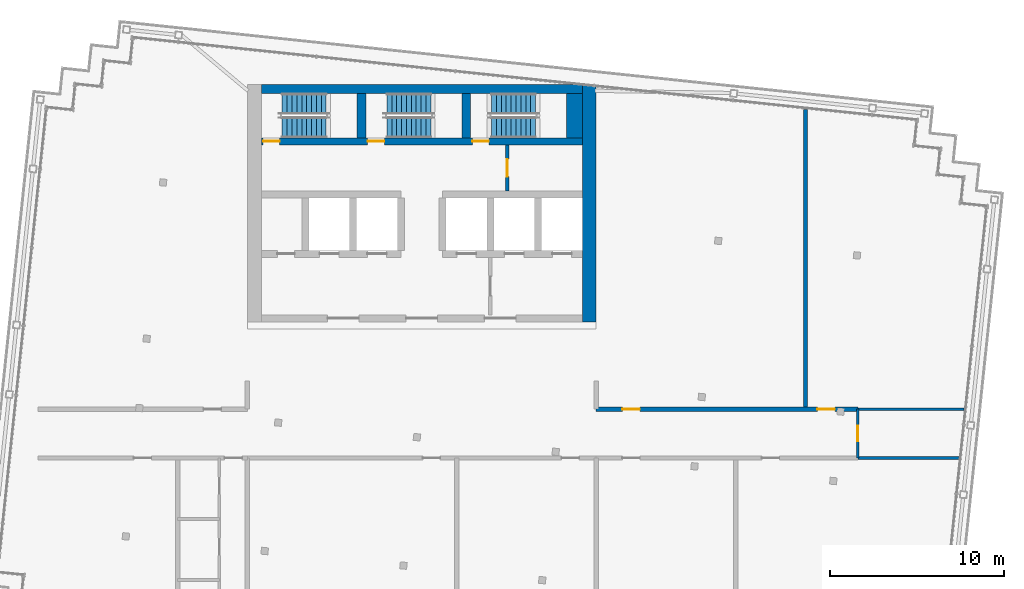
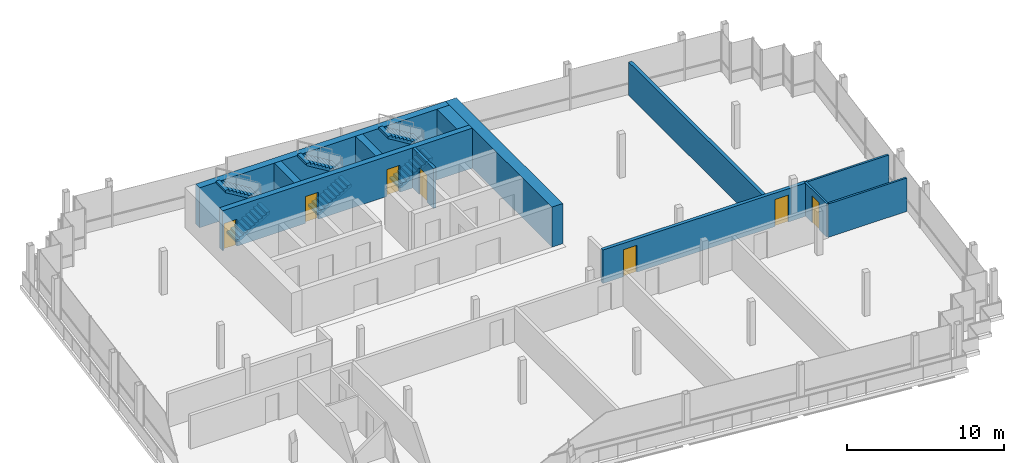
# One storey, part 12 of 15: 12 walls, 7 doors, 6 stair flights, 7 openings, 3 elements without a shape of their own.
"""IFC4 building model written with IfcOpenShell, lengths in metres."""

from ifc_helpers import new_model, si_unit, direction, frame, frame_2d, origin, place, context, subcontext, project, spatial, polyline, rectangle, outline, extrude, material, layer, layer_set, type_object, element, fill, aggregate, save


model = new_model("IFC4")

# Units and contexts
model_context = context("Model", 3, precision=1e-05, world=origin(), true_north=direction((0.0, 1.0)))
body_context = subcontext(model_context, "Body", "Model", "MODEL_VIEW")
ifc_project = project(units=[si_unit("LENGTHUNIT", "METRE"), si_unit("AREAUNIT", "SQUARE_METRE"), si_unit("VOLUMEUNIT", "CUBIC_METRE"), si_unit("PLANEANGLEUNIT", "RADIAN"), si_unit("MASSUNIT", "GRAM", prefix="KILO")], contexts=[model_context])

# Site, building, storey
site_placement = place(None, origin())
site = spatial("IfcSite", under=ifc_project, at=site_placement, CompositionType="ELEMENT")
building_placement = place(site_placement, origin())
building = spatial("IfcBuilding", under=site, at=building_placement, Name="Vidyagriha Tower", CompositionType="ELEMENT")
storey_placement = place(building_placement, frame((0.0, 0.0, 291.5)))
storey = spatial("IfcBuildingStorey", under=building, at=storey_placement, Name="L75", CompositionType="ELEMENT", Elevation=291.5)

# Wall, openings, doors
ifc_material_1 = material(Name="Concrete C60/75", Category="concrete")
ifc_layer_1 = layer(ifc_material_1, 0.39990234375)
ifc_layer_set_1 = layer_set([ifc_layer_1], Name="Concrete C60/75")
wall_type_1 = type_object("IfcWallType", Name="Core shear wall 400 mm", PredefinedType="SHEAR", material=ifc_layer_set_1)
wall_1_placement = place(storey_placement, frame((-9.199951171875, 16.75, 0.0)))
wall_1 = element("IfcWall", 1, at=wall_1_placement, inside=storey, type_object=wall_type_1, Name="Stair front wall", PredefinedType="SHEAR", context=body_context, shape_type="SweptSolid", body=[
    extrude(rectangle(XDim=18.39990234375, YDim=0.39990234375, at=frame_2d((9.199951171875, 0.0))), origin(), (0.0, 0.0, 1.0), 3.1201171875),
])
opening_1_placement = place(wall_1_placement, frame((0.10009765625, 0.0, 0.0)))
opening_1 = element("IfcOpeningElement", 2, at=opening_1_placement, cuts=wall_1, Name="Opening D75-06", PredefinedType="OPENING", context=body_context, shape_type="SweptSolid", body=[
    extrude(rectangle(XDim=0.949951171875, YDim=2.10009765625, at=frame_2d((0.47509765625, 1.050048828125))), frame((0.0, 0.2099609375, 0.0), z_axis=(0.0, -1.0, 0.0), x_axis=(1.0, 0.0, 0.0)), (0.0, 0.0, 1.0), 0.419921875),
])
opening_2_placement = place(wall_1_placement, frame((6.10009765625, 0.0, 0.0)))
opening_2 = element("IfcOpeningElement", 3, at=opening_2_placement, cuts=wall_1, Name="Opening D75-07", PredefinedType="OPENING", context=body_context, shape_type="SweptSolid", body=[
    extrude(rectangle(XDim=0.949951171875, YDim=2.10009765625, at=frame_2d((0.47509765625, 1.050048828125))), frame((0.0, 0.2099609375, 0.0), z_axis=(0.0, -1.0, 0.0), x_axis=(1.0, 0.0, 0.0)), (0.0, 0.0, 1.0), 0.419921875),
])
opening_3_placement = place(wall_1_placement, frame((12.10009765625, 0.0, 0.0)))
opening_3 = element("IfcOpeningElement", 4, at=opening_3_placement, cuts=wall_1, Name="Opening D75-08", PredefinedType="OPENING", context=body_context, shape_type="SweptSolid", body=[
    extrude(rectangle(XDim=0.949951171875, YDim=2.10009765625, at=frame_2d((0.47509765625, 1.050048828125))), frame((0.0, 0.2099609375, 0.0), z_axis=(0.0, -1.0, 0.0), x_axis=(1.0, 0.0, 0.0)), (0.0, 0.0, 1.0), 0.419921875),
])
ifc_material_2 = material(Name="Hollow metal door leaf")
door_type_1 = type_object("IfcDoorType", Name="Exit stair door 950 x 2100 mm EI 90", OperationType="NOTDEFINED", PredefinedType="DOOR", material=ifc_material_2)
door_1_placement = place(opening_1_placement, origin())
door_1 = element("IfcDoor", 5, at=door_1_placement, inside=storey, type_object=door_type_1, Name="Stair door ST1 L75", OperationType="SINGLE_SWING_LEFT", OverallHeight=2.10009765625, OverallWidth=0.949951171875, PredefinedType="DOOR", context=body_context, shape_type="SweptSolid", body=[
    extrude(rectangle(XDim=0.949951171875, YDim=2.10009765625, at=frame_2d((0.47509765625, 1.050048828125))), frame((0.0, 0.02490234375, 0.0), z_axis=(0.0, -1.0, 0.0), x_axis=(1.0, 0.0, 0.0)), (0.0, 0.0, 1.0), 0.050048828125),
])
fill(opening_1, door_1)
door_2_placement = place(opening_2_placement, origin())
door_2 = element("IfcDoor", 6, at=door_2_placement, inside=storey, type_object=door_type_1, Name="Stair door ST2 L75", OperationType="SINGLE_SWING_LEFT", OverallHeight=2.10009765625, OverallWidth=0.949951171875, PredefinedType="DOOR", context=body_context, shape_type="SweptSolid", body=[
    extrude(rectangle(XDim=0.949951171875, YDim=2.10009765625, at=frame_2d((0.47509765625, 1.050048828125))), frame((0.0, 0.02490234375, 0.0), z_axis=(0.0, -1.0, 0.0), x_axis=(1.0, 0.0, 0.0)), (0.0, 0.0, 1.0), 0.050048828125),
])
fill(opening_2, door_2)
door_3_placement = place(opening_3_placement, origin())
door_3 = element("IfcDoor", 7, at=door_3_placement, inside=storey, type_object=door_type_1, Name="Stair door ST3 L75", OperationType="SINGLE_SWING_LEFT", OverallHeight=2.10009765625, OverallWidth=0.949951171875, PredefinedType="DOOR", context=body_context, shape_type="SweptSolid", body=[
    extrude(rectangle(XDim=0.949951171875, YDim=2.10009765625, at=frame_2d((0.47509765625, 1.050048828125))), frame((0.0, 0.02490234375, 0.0), z_axis=(0.0, -1.0, 0.0), x_axis=(1.0, 0.0, 0.0)), (0.0, 0.0, 1.0), 0.050048828125),
])
fill(opening_3, door_3)

# Walls
ifc_material_3 = material(Name="Concrete C60/75", Category="concrete")
ifc_layer_2 = layer(ifc_material_3, 0.5)
ifc_layer_set_2 = layer_set([ifc_layer_2], Name="Concrete C60/75")
wall_type_2 = type_object("IfcWallType", Name="Core shear wall 500 mm", PredefinedType="SHEAR", material=ifc_layer_set_2)
wall_2_placement = place(storey_placement, frame((-9.199951171875, 19.75, 0.0)))
element("IfcWall", 8, at=wall_2_placement, inside=storey, type_object=wall_type_2, Name="Core north wall", PredefinedType="SHEAR", context=body_context, shape_type="SweptSolid", body=[
    extrude(rectangle(XDim=18.39990234375, YDim=0.5, at=frame_2d((9.199951171875, 0.0))), origin(), (0.0, 0.0, 1.0), 3.1201171875),
])
for number, where, z_axis, x_axis, name in (
    (9, (-3.449951171875, 16.949951171875, 0.0), (0.0, 0.0, 1.0), (0.0, 1.0, 0.0), "Stair partition wall 1"),
    (10, (2.550048828125, 16.949951171875, 0.0), (0.0, 0.0, 1.0), (0.0, 1.0, 0.0), "Stair partition wall 2"),
):
    element("IfcWall", number, at=place(storey_placement, frame(where, z_axis=z_axis, x_axis=x_axis)), inside=storey, type_object=wall_type_2, Name=name, PredefinedType="SHEAR", context=body_context, shape_type="SweptSolid", body=[
        extrude(rectangle(XDim=2.550048828125, YDim=0.5, at=frame_2d((1.27490234375, 0.0))), origin(), (0.0, 0.0, 1.0), 3.1201171875),
    ])
ifc_material_4 = material(Name="Concrete C60/75", Category="concrete")
ifc_layer_3 = layer(ifc_material_4, 0.800048828125)
ifc_layer_set_3 = layer_set([ifc_layer_3], Name="Concrete C60/75")
wall_type_3 = type_object("IfcWallType", Name="Core shear wall 800 mm", PredefinedType="SHEAR", material=ifc_layer_set_3)
wall_3_placement = place(storey_placement, frame((9.60009765625, 6.39990234375, 0.0), z_axis=(0.0, 0.0, 1.0), x_axis=(0.0, 1.0, 0.0)))
element("IfcWall", 11, at=wall_3_placement, inside=storey, type_object=wall_type_3, Name="Core east wall", PredefinedType="SHEAR", context=body_context, shape_type="SweptSolid", body=[
    extrude(rectangle(XDim=13.60009765625, YDim=0.800048828125, at=frame_2d((6.800048828125, 0.0))), origin(), (0.0, 0.0, 1.0), 3.1201171875),
])
ifc_material_5 = material(Name="Concrete C60/75", Category="concrete")
ifc_layer_4 = layer(ifc_material_5, 0.89990234375)
ifc_layer_set_4 = layer_set([ifc_layer_4], Name="Concrete C60/75")
wall_type_4 = type_object("IfcWallType", Name="Core shear wall 900 mm", PredefinedType="SHEAR", material=ifc_layer_set_4)
wall_4_placement = place(storey_placement, frame((8.75, 16.949951171875, 0.0), z_axis=(0.0, 0.0, 1.0), x_axis=(0.0, 1.0, 0.0)))
element("IfcWall", 12, at=wall_4_placement, inside=storey, type_object=wall_type_4, Name="Stair end wall", PredefinedType="SHEAR", context=body_context, shape_type="SweptSolid", body=[
    extrude(rectangle(XDim=2.550048828125, YDim=0.89990234375, at=frame_2d((1.27490234375, 0.0))), origin(), (0.0, 0.0, 1.0), 3.1201171875),
])

# Wall, openings, doors
ifc_material_6 = material(Name="Fired clay brick masonry", Category="masonry")
ifc_layer_5 = layer(ifc_material_6, 0.25)
ifc_layer_set_5 = layer_set([ifc_layer_5], Name="Fired clay brick masonry")
wall_type_5 = type_object("IfcWallType", Name="Fired clay brick corridor wall 250", PredefinedType="PARTITIONING", material=ifc_layer_set_5)
wall_5_placement = place(storey_placement, frame((10.0, 1.39990234375, 0.0)))
wall_5 = element("IfcWall", 13, at=wall_5_placement, inside=storey, type_object=wall_type_5, Name="Wall all-L75-w022", PredefinedType="PARTITIONING", context=body_context, shape_type="SweptSolid", body=[
    extrude(rectangle(XDim=15.0, YDim=0.25, at=frame_2d((7.5, 0.0))), origin(), (0.0, 0.0, 1.0), 2.60009765625),
])
opening_4_placement = place(wall_5_placement, frame((1.5, 0.0, 0.0)))
opening_4 = element("IfcOpeningElement", 14, at=opening_4_placement, cuts=wall_5, Name="Opening D75-19", PredefinedType="OPENING", context=body_context, shape_type="SweptSolid", body=[
    extrude(rectangle(XDim=1.0, YDim=2.10009765625, at=frame_2d((0.5, 1.050048828125))), frame((0.0, 0.135009765625, 0.0), z_axis=(0.0, -1.0, 0.0), x_axis=(1.0, 0.0, 0.0)), (0.0, 0.0, 1.0), 0.27001953125),
])
opening_5_placement = place(wall_5_placement, frame((12.6748046875, 0.0, 0.0)))
opening_5 = element("IfcOpeningElement", 15, at=opening_5_placement, cuts=wall_5, Name="Opening D75-20", PredefinedType="OPENING", context=body_context, shape_type="SweptSolid", body=[
    extrude(rectangle(XDim=1.0, YDim=2.10009765625, at=frame_2d((0.5, 1.050048828125))), frame((0.0, 0.135009765625, 0.0), z_axis=(0.0, -1.0, 0.0), x_axis=(1.0, 0.0, 0.0)), (0.0, 0.0, 1.0), 0.27001953125),
])
ifc_material_7 = material(Name="Fire-rated timber door leaf EI 60", Category="wood")
door_type_2 = type_object("IfcDoorType", Name="Flat entrance fire door 1000x2100", OperationType="NOTDEFINED", PredefinedType="DOOR", material=ifc_material_7)
door_4_placement = place(opening_4_placement, origin())
door_4 = element("IfcDoor", 16, at=door_4_placement, inside=storey, type_object=door_type_2, Name="Door D75-19", OperationType="SINGLE_SWING_LEFT", OverallHeight=2.10009765625, OverallWidth=1.0, PredefinedType="DOOR", context=body_context, shape_type="SweptSolid", body=[
    extrude(rectangle(XDim=1.0, YDim=2.10009765625, at=frame_2d((0.5, 1.050048828125))), frame((0.0, 0.02490234375, 0.0), z_axis=(0.0, -1.0, 0.0), x_axis=(1.0, 0.0, 0.0)), (0.0, 0.0, 1.0), 0.050048828125),
])
fill(opening_4, door_4)
door_5_placement = place(opening_5_placement, origin())
door_5 = element("IfcDoor", 17, at=door_5_placement, inside=storey, type_object=door_type_2, Name="Door D75-20", OperationType="SINGLE_SWING_LEFT", OverallHeight=2.10009765625, OverallWidth=1.0, PredefinedType="DOOR", context=body_context, shape_type="SweptSolid", body=[
    extrude(rectangle(XDim=1.0, YDim=2.10009765625, at=frame_2d((0.5, 1.050048828125))), frame((0.0, 0.02490234375, 0.0), z_axis=(0.0, -1.0, 0.0), x_axis=(1.0, 0.0, 0.0)), (0.0, 0.0, 1.0), 0.050048828125),
])
fill(opening_5, door_5)

# Walls
ifc_material_8 = material(Name="Fired clay brick masonry", Category="masonry")
ifc_layer_6 = layer(ifc_material_8, 0.25)
ifc_layer_set_6 = layer_set([ifc_layer_6], Name="Fired clay brick masonry")
wall_type_6 = type_object("IfcWallType", Name="Fired clay brick demising wall 250", PredefinedType="PARTITIONING", material=ifc_layer_set_6)
wall_6_placement = place(storey_placement, frame((22.0, 18.583984375, 0.0), z_axis=(0.0, 0.0, 1.0), x_axis=(0.0, -1.0, 0.0)))
element("IfcWall", 18, at=wall_6_placement, inside=storey, type_object=wall_type_6, Name="Wall all-L75-w026", PredefinedType="PARTITIONING", context=body_context, shape_type="SweptSolid", body=[
    extrude(rectangle(XDim=17.18408203125, YDim=0.25, at=frame_2d((8.592041015625, 0.0))), origin(), (0.0, 0.0, 1.0), 2.60009765625),
])
ifc_material_9 = material(Name="Gypsum board partition")
ifc_layer_7 = layer(ifc_material_9, 0.14990234375)
ifc_layer_set_7 = layer_set([ifc_layer_7], Name="Gypsum board partition")
wall_type_7 = type_object("IfcWallType", Name="Gypsum board partition 150", PredefinedType="PARTITIONING", material=ifc_layer_set_7)
wall_7_placement = place(storey_placement, frame((30.79833984375, -1.39990234375, 0.0), z_axis=(0.0, 0.0, 1.0), x_axis=(-1.0, 0.0, 0.0)))
element("IfcWall", 19, at=wall_7_placement, inside=storey, type_object=wall_type_7, Name="Wall all-L75-w015", PredefinedType="PARTITIONING", context=body_context, shape_type="SweptSolid", body=[
    extrude(rectangle(XDim=5.79833984375, YDim=0.14990234375, at=frame_2d((2.899169921875, 0.0))), origin(), (0.0, 0.0, 1.0), 2.60009765625),
])

# Wall, opening, door
wall_8_placement = place(storey_placement, frame((25.0, -1.39990234375, 0.0), z_axis=(0.0, 0.0, 1.0), x_axis=(0.0, 1.0, 0.0)))
wall_8 = element("IfcWall", 20, at=wall_8_placement, inside=storey, type_object=wall_type_7, Name="Wall all-L75-w016", PredefinedType="PARTITIONING", context=body_context, shape_type="SweptSolid", body=[
    extrude(rectangle(XDim=2.7998046875, YDim=0.14990234375, at=frame_2d((1.39990234375, 0.0))), origin(), (0.0, 0.0, 1.0), 2.60009765625),
])
opening_6_placement = place(wall_8_placement, frame((0.949951171875, 0.0, 0.0)))
opening_6 = element("IfcOpeningElement", 21, at=opening_6_placement, cuts=wall_8, Name="Opening D75-18", PredefinedType="OPENING", context=body_context, shape_type="SweptSolid", body=[
    extrude(rectangle(XDim=0.89990234375, YDim=2.10009765625, at=frame_2d((0.449951171875, 1.050048828125))), frame((0.0, 0.0849609375, 0.0), z_axis=(0.0, -1.0, 0.0), x_axis=(1.0, 0.0, 0.0)), (0.0, 0.0, 1.0), 0.169921875),
])
ifc_material_10 = material(Name="Timber door leaf", Category="wood")
door_type_3 = type_object("IfcDoorType", Name="Room door 900x2100", OperationType="NOTDEFINED", PredefinedType="DOOR", material=ifc_material_10)
door_6_placement = place(opening_6_placement, origin())
door_6 = element("IfcDoor", 22, at=door_6_placement, inside=storey, type_object=door_type_3, Name="Door D75-18", OperationType="SINGLE_SWING_RIGHT", OverallHeight=2.10009765625, OverallWidth=0.89990234375, PredefinedType="DOOR", context=body_context, shape_type="SweptSolid", body=[
    extrude(rectangle(XDim=0.89990234375, YDim=2.10009765625, at=frame_2d((0.449951171875, 1.050048828125))), frame((0.0, 0.02490234375, 0.0), z_axis=(0.0, -1.0, 0.0), x_axis=(1.0, 0.0, 0.0)), (0.0, 0.0, 1.0), 0.050048828125),
])
fill(opening_6, door_6)

# Wall
wall_9_placement = place(storey_placement, frame((25.0, 1.39990234375, 0.0)))
element("IfcWall", 23, at=wall_9_placement, inside=storey, type_object=wall_type_7, Name="Wall all-L75-w023", PredefinedType="PARTITIONING", context=body_context, shape_type="SweptSolid", body=[
    extrude(rectangle(XDim=6.092529296875, YDim=0.14990234375, at=frame_2d((3.04638671875, 0.0))), origin(), (0.0, 0.0, 1.0), 2.60009765625),
])

# Wall, opening, door
ifc_material_11 = material(Name="Blockwork 15 MPa", Category="masonry")
ifc_layer_8 = layer(ifc_material_11, 0.199951171875)
ifc_layer_set_8 = layer_set([ifc_layer_8], Name="Blockwork 15 MPa")
wall_type_8 = type_object("IfcWallType", Name="Service room partition 200 mm", PredefinedType="PARTITIONING", material=ifc_layer_set_8)
wall_10_placement = place(storey_placement, frame((4.89990234375, 13.89990234375, 0.0), z_axis=(0.0, 0.0, 1.0), x_axis=(0.0, 1.0, 0.0)))
wall_10 = element("IfcWall", 24, at=wall_10_placement, inside=storey, type_object=wall_type_8, Name="Core room partition E", PredefinedType="PARTITIONING", context=body_context, shape_type="SweptSolid", body=[
    extrude(rectangle(XDim=2.650146484375, YDim=0.199951171875, at=frame_2d((1.3251953125, 0.0))), origin(), (0.0, 0.0, 1.0), 3.1201171875),
])
opening_7_placement = place(wall_10_placement, frame((0.824951171875, 0.0, 0.0)))
opening_7 = element("IfcOpeningElement", 25, at=opening_7_placement, cuts=wall_10, Name="Opening D75-09", PredefinedType="OPENING", context=body_context, shape_type="SweptSolid", body=[
    extrude(rectangle(XDim=1.0, YDim=2.10009765625, at=frame_2d((0.5, 1.050048828125))), frame((0.0, 0.10986328125, 0.0), z_axis=(0.0, -1.0, 0.0), x_axis=(1.0, 0.0, 0.0)), (0.0, 0.0, 1.0), 0.219970703125),
])
ifc_material_12 = material(Name="Hollow metal door leaf")
door_type_4 = type_object("IfcDoorType", Name="Core room door 1000 x 2100 mm EI 60", OperationType="NOTDEFINED", PredefinedType="DOOR", material=ifc_material_12)
door_7_placement = place(opening_7_placement, origin())
door_7 = element("IfcDoor", 26, at=door_7_placement, inside=storey, type_object=door_type_4, Name="Door Storage Room 75.T1", OperationType="SINGLE_SWING_LEFT", OverallHeight=2.10009765625, OverallWidth=1.0, PredefinedType="DOOR", context=body_context, shape_type="SweptSolid", body=[
    extrude(rectangle(XDim=1.0, YDim=2.10009765625, at=frame_2d((0.5, 1.050048828125))), frame((0.0, 0.02490234375, 0.0), z_axis=(0.0, -1.0, 0.0), x_axis=(1.0, 0.0, 0.0)), (0.0, 0.0, 1.0), 0.050048828125),
])
fill(opening_7, door_7)

# Stair, stair flights
ifc_material_13 = material(Name="Concrete C40/50", Category="concrete")
stair_type = type_object("IfcStairType", Name="Exit stair, half-turn, precast flights", PredefinedType="HALF_TURN_STAIR", material=ifc_material_13)
stair_1_placement = place(storey_placement, origin())
stair_1 = element("IfcStair", 27, at=stair_1_placement, inside=storey, type_object=stair_type, Name="L75 Exit Stair ST1", PredefinedType="HALF_TURN_STAIR")
ifc_material_14 = material(Name="Precast concrete C40/50", Category="concrete")
stair_flight_type = type_object("IfcStairFlightType", Name="Exit stair flight 1200 mm, precast", PredefinedType="STRAIGHT", material=ifc_material_14)
stair_flight_1_placement = place(storey_placement, frame((-8.0, 17.550048828125, 0.0)))
stair_flight_1 = element("IfcStairFlight", 28, at=stair_flight_1_placement, type_object=stair_flight_type, Name="ST1 flight 1", NumberOfRisers=10, NumberOfTreads=9, PredefinedType="STRAIGHT", RiserHeight=0.17, TreadLength=0.28, context=body_context, shape_type="SweptSolid", body=[
    extrude(outline(polyline([(0.0, 0.0), (0.0, 0.169921875), (0.280029296875, 0.169921875), (0.280029296875, 0.340087890625), (0.56005859375, 0.340087890625), (0.56005859375, 0.510009765625), (0.840087890625, 0.510009765625), (0.840087890625, 0.679931640625), (1.1201171875, 0.679931640625), (1.1201171875, 0.85009765625), (1.39990234375, 0.85009765625), (1.39990234375, 1.02001953125), (1.679931640625, 1.02001953125), (1.679931640625, 1.18994140625), (1.9599609375, 1.18994140625), (1.9599609375, 1.360107421875), (2.239990234375, 1.360107421875), (2.239990234375, 1.530029296875), (2.52001953125, 1.530029296875), (2.52001953125, 1.699951171875), (2.52001953125, 1.354736328125), (0.288818359375, 0.0), (0.0, 0.0)])), frame((0.0, 0.60009765625, 0.0), z_axis=(0.0, -1.0, 0.0), x_axis=(1.0, 0.0, 0.0)), (0.0, 0.0, 1.0), 1.199951171875),
])
stair_flight_2_placement = place(storey_placement, frame((-5.47998046875, 18.89990234375, 1.699951171875), z_axis=(0.0, 0.0, 1.0), x_axis=(-1.0, 0.0, 0.0)))
stair_flight_2 = element("IfcStairFlight", 29, at=stair_flight_2_placement, type_object=stair_flight_type, Name="ST1 flight 2", NumberOfRisers=10, NumberOfTreads=9, PredefinedType="STRAIGHT", RiserHeight=0.17, TreadLength=0.28, context=body_context, shape_type="SweptSolid", body=[
    extrude(outline(polyline([(0.0, 0.0), (0.0, 0.169921875), (0.280029296875, 0.169921875), (0.280029296875, 0.340087890625), (0.56005859375, 0.340087890625), (0.56005859375, 0.510009765625), (0.840087890625, 0.510009765625), (0.840087890625, 0.679931640625), (1.1201171875, 0.679931640625), (1.1201171875, 0.85009765625), (1.39990234375, 0.85009765625), (1.39990234375, 1.02001953125), (1.679931640625, 1.02001953125), (1.679931640625, 1.18994140625), (1.9599609375, 1.18994140625), (1.9599609375, 1.360107421875), (2.239990234375, 1.360107421875), (2.239990234375, 1.530029296875), (2.52001953125, 1.530029296875), (2.52001953125, 1.699951171875), (2.52001953125, 1.354736328125), (0.288818359375, 0.0), (0.0, 0.0)])), frame((0.0, 0.60009765625, 0.0), z_axis=(0.0, -1.0, 0.0), x_axis=(1.0, 0.0, 0.0)), (0.0, 0.0, 1.0), 1.199951171875),
])
aggregate(stair_1, [stair_flight_1, stair_flight_2])

stair_2_placement = place(storey_placement, origin())
stair_2 = element("IfcStair", 30, at=stair_2_placement, inside=storey, type_object=stair_type, Name="L75 Exit Stair ST2", PredefinedType="HALF_TURN_STAIR")
stair_flight_3_placement = place(storey_placement, frame((-2.0, 17.550048828125, 0.0)))
stair_flight_3 = element("IfcStairFlight", 31, at=stair_flight_3_placement, type_object=stair_flight_type, Name="ST2 flight 1", NumberOfRisers=10, NumberOfTreads=9, PredefinedType="STRAIGHT", RiserHeight=0.17, TreadLength=0.28, context=body_context, shape_type="SweptSolid", body=[
    extrude(outline(polyline([(0.0, 0.0), (0.0, 0.169921875), (0.280029296875, 0.169921875), (0.280029296875, 0.340087890625), (0.56005859375, 0.340087890625), (0.56005859375, 0.510009765625), (0.840087890625, 0.510009765625), (0.840087890625, 0.679931640625), (1.1201171875, 0.679931640625), (1.1201171875, 0.85009765625), (1.39990234375, 0.85009765625), (1.39990234375, 1.02001953125), (1.679931640625, 1.02001953125), (1.679931640625, 1.18994140625), (1.9599609375, 1.18994140625), (1.9599609375, 1.360107421875), (2.239990234375, 1.360107421875), (2.239990234375, 1.530029296875), (2.52001953125, 1.530029296875), (2.52001953125, 1.699951171875), (2.52001953125, 1.354736328125), (0.288818359375, 0.0), (0.0, 0.0)])), frame((0.0, 0.60009765625, 0.0), z_axis=(0.0, -1.0, 0.0), x_axis=(1.0, 0.0, 0.0)), (0.0, 0.0, 1.0), 1.199951171875),
])
stair_flight_4_placement = place(storey_placement, frame((0.52001953125, 18.89990234375, 1.699951171875), z_axis=(0.0, 0.0, 1.0), x_axis=(-1.0, 0.0, 0.0)))
stair_flight_4 = element("IfcStairFlight", 32, at=stair_flight_4_placement, type_object=stair_flight_type, Name="ST2 flight 2", NumberOfRisers=10, NumberOfTreads=9, PredefinedType="STRAIGHT", RiserHeight=0.17, TreadLength=0.28, context=body_context, shape_type="SweptSolid", body=[
    extrude(outline(polyline([(0.0, 0.0), (0.0, 0.169921875), (0.280029296875, 0.169921875), (0.280029296875, 0.340087890625), (0.56005859375, 0.340087890625), (0.56005859375, 0.510009765625), (0.840087890625, 0.510009765625), (0.840087890625, 0.679931640625), (1.1201171875, 0.679931640625), (1.1201171875, 0.85009765625), (1.39990234375, 0.85009765625), (1.39990234375, 1.02001953125), (1.679931640625, 1.02001953125), (1.679931640625, 1.18994140625), (1.9599609375, 1.18994140625), (1.9599609375, 1.360107421875), (2.239990234375, 1.360107421875), (2.239990234375, 1.530029296875), (2.52001953125, 1.530029296875), (2.52001953125, 1.699951171875), (2.52001953125, 1.354736328125), (0.288818359375, 0.0), (0.0, 0.0)])), frame((0.0, 0.60009765625, 0.0), z_axis=(0.0, -1.0, 0.0), x_axis=(1.0, 0.0, 0.0)), (0.0, 0.0, 1.0), 1.199951171875),
])
aggregate(stair_2, [stair_flight_3, stair_flight_4])

stair_3_placement = place(storey_placement, origin())
stair_3 = element("IfcStair", 33, at=stair_3_placement, inside=storey, type_object=stair_type, Name="L75 Exit Stair ST3", PredefinedType="HALF_TURN_STAIR")
stair_flight_5_placement = place(storey_placement, frame((4.0, 17.550048828125, 0.0)))
stair_flight_5 = element("IfcStairFlight", 34, at=stair_flight_5_placement, type_object=stair_flight_type, Name="ST3 flight 1", NumberOfRisers=10, NumberOfTreads=9, PredefinedType="STRAIGHT", RiserHeight=0.17, TreadLength=0.28, context=body_context, shape_type="SweptSolid", body=[
    extrude(outline(polyline([(0.0, 0.0), (0.0, 0.169921875), (0.280029296875, 0.169921875), (0.280029296875, 0.340087890625), (0.56005859375, 0.340087890625), (0.56005859375, 0.510009765625), (0.840087890625, 0.510009765625), (0.840087890625, 0.679931640625), (1.1201171875, 0.679931640625), (1.1201171875, 0.85009765625), (1.39990234375, 0.85009765625), (1.39990234375, 1.02001953125), (1.679931640625, 1.02001953125), (1.679931640625, 1.18994140625), (1.9599609375, 1.18994140625), (1.9599609375, 1.360107421875), (2.239990234375, 1.360107421875), (2.239990234375, 1.530029296875), (2.52001953125, 1.530029296875), (2.52001953125, 1.699951171875), (2.52001953125, 1.354736328125), (0.288818359375, 0.0), (0.0, 0.0)])), frame((0.0, 0.60009765625, 0.0), z_axis=(0.0, -1.0, 0.0), x_axis=(1.0, 0.0, 0.0)), (0.0, 0.0, 1.0), 1.199951171875),
])
stair_flight_6_placement = place(storey_placement, frame((6.52001953125, 18.89990234375, 1.699951171875), z_axis=(0.0, 0.0, 1.0), x_axis=(-1.0, 0.0, 0.0)))
stair_flight_6 = element("IfcStairFlight", 35, at=stair_flight_6_placement, type_object=stair_flight_type, Name="ST3 flight 2", NumberOfRisers=10, NumberOfTreads=9, PredefinedType="STRAIGHT", RiserHeight=0.17, TreadLength=0.28, context=body_context, shape_type="SweptSolid", body=[
    extrude(outline(polyline([(0.0, 0.0), (0.0, 0.169921875), (0.280029296875, 0.169921875), (0.280029296875, 0.340087890625), (0.56005859375, 0.340087890625), (0.56005859375, 0.510009765625), (0.840087890625, 0.510009765625), (0.840087890625, 0.679931640625), (1.1201171875, 0.679931640625), (1.1201171875, 0.85009765625), (1.39990234375, 0.85009765625), (1.39990234375, 1.02001953125), (1.679931640625, 1.02001953125), (1.679931640625, 1.18994140625), (1.9599609375, 1.18994140625), (1.9599609375, 1.360107421875), (2.239990234375, 1.360107421875), (2.239990234375, 1.530029296875), (2.52001953125, 1.530029296875), (2.52001953125, 1.699951171875), (2.52001953125, 1.354736328125), (0.288818359375, 0.0), (0.0, 0.0)])), frame((0.0, 0.60009765625, 0.0), z_axis=(0.0, -1.0, 0.0), x_axis=(1.0, 0.0, 0.0)), (0.0, 0.0, 1.0), 1.199951171875),
])
aggregate(stair_3, [stair_flight_5, stair_flight_6])

save(model, "model.ifc")
